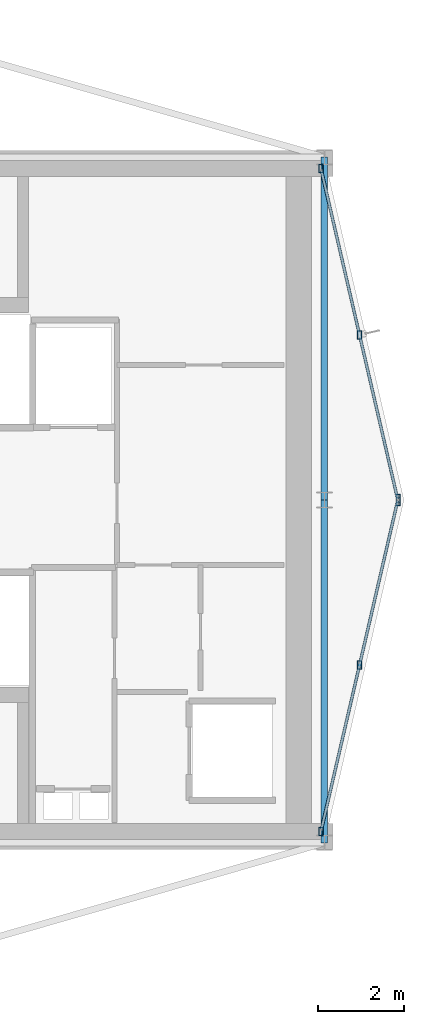
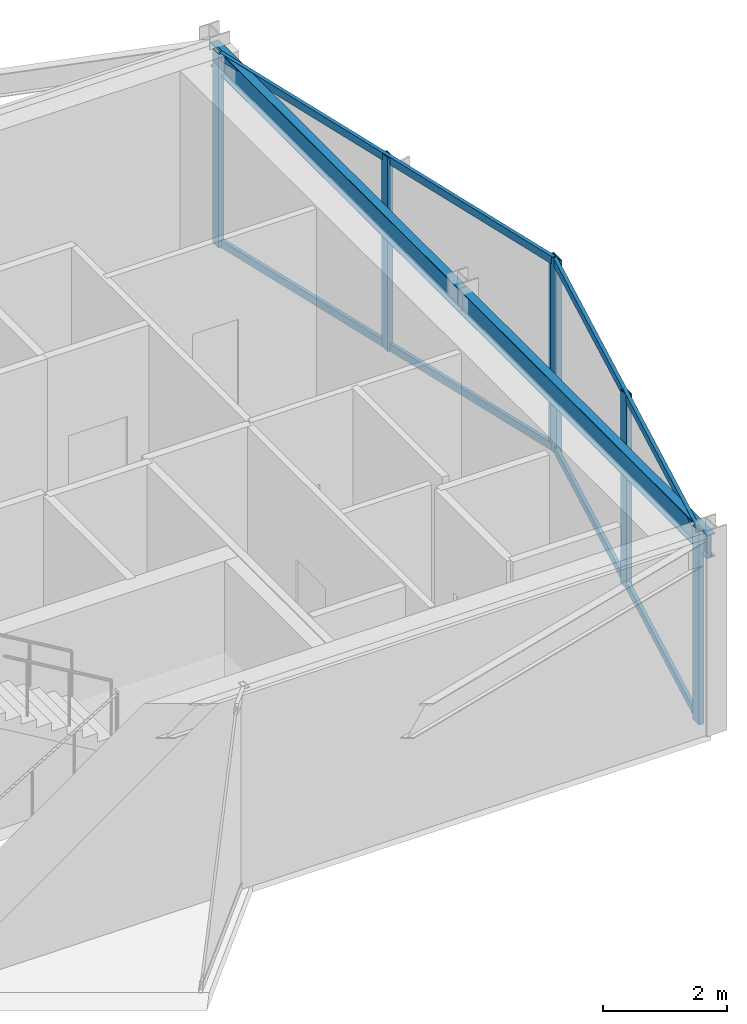
# One storey, part 7 of 14: 10 members, 2 beams, 2 elements without a shape of their own.
"""IFC4 building model written with IfcOpenShell, lengths in metres."""

from ifc_helpers import new_model, si_unit, direction, frame, origin, origin_2d, place, context, subcontext, project, spatial, hollow_rectangle, i_section, extrude, material, layer, layer_set, material_profile, profile_set, type_object, element, aggregate, save


model = new_model("IFC4")

# Units and contexts
model_context = context("Model", 3, precision=1e-05, world=origin(), true_north=direction((0.0, 1.0)))
body_context = subcontext(model_context, "Body", "Model", "MODEL_VIEW")
ifc_project = project(units=[si_unit("LENGTHUNIT", "METRE"), si_unit("AREAUNIT", "SQUARE_METRE"), si_unit("VOLUMEUNIT", "CUBIC_METRE"), si_unit("PLANEANGLEUNIT", "RADIAN"), si_unit("MASSUNIT", "GRAM", prefix="KILO")], contexts=[model_context])

# Site, building, storey
site_placement = place(None, origin())
site = spatial("IfcSite", under=ifc_project, at=site_placement, CompositionType="ELEMENT")
building_placement = place(site_placement, origin())
building = spatial("IfcBuilding", under=site, at=building_placement, Name="Veymaron Broadcast Tower", CompositionType="ELEMENT")
storey_placement = place(building_placement, frame((0.0, 0.0, 283.050048828125)))
storey = spatial("IfcBuildingStorey", under=building, at=storey_placement, Name="L66", CompositionType="ELEMENT", Elevation=283.050048828125)

# Beams
ifc_material_1 = material(Name="Structural steel ASTM A992 Gr 50", Category="steel")
ifc_material_profile_1 = material_profile(ifc_material_1, i_section(OverallWidth=0.154052734375, OverallDepth=0.458984375, WebThickness=0.009033203125, FlangeThickness=0.015380859375, at=origin_2d()), Name="W460X68")
ifc_profile_set_1 = profile_set([ifc_material_profile_1], Name="Structural steel ASTM A992 Gr 50")
beam_type = type_object("IfcBeamType", Name="BM-SP2", PredefinedType="SPANDREL", material=ifc_profile_set_1)
for number, where, z_axis, x_axis, name in (
    (1, (54.60009765625, 16.0, 3.58056640625), (0.0, 1.0, 0.0), (-1.0, 0.0, 0.0), "L66 primary structural floor girder"),
    (2, (54.60009765625, 24.0, 3.58056640625), (0.0, 1.0, 0.0), (-1.0, 0.0, 0.0), "L66 primary structural floor girder"),
):
    element("IfcBeam", number, at=place(storey_placement, frame(where, z_axis=z_axis, x_axis=x_axis)), inside=storey, type_object=beam_type, Name=name, PredefinedType="SPANDREL", context=body_context, shape_type="SweptSolid", body=[
        extrude(i_section(OverallWidth=0.154052734375, OverallDepth=0.458984375, WebThickness=0.009033203125, FlangeThickness=0.015380859375, at=origin_2d()), origin(), (0.0, 0.0, 1.0), 8.0),
    ])

# Curtain wall, members
ifc_material_2 = material(Name="Anodised aluminium AA 6063-T6 and laminated low-E dark glass", Category="aluminium")
ifc_layer = layer(ifc_material_2, 0.179931640625)
ifc_layer_set = layer_set([ifc_layer], Name="Anodised aluminium AA 6063-T6 and laminated low-E dark glass")
curtain_wall_type = type_object("IfcCurtainWallType", Name="CW-SYS-06", PredefinedType="NOTDEFINED", material=ifc_layer_set)
curtain_wall_1_placement = place(storey_placement, origin())
curtain_wall_1 = element("IfcCurtainWall", 3, at=curtain_wall_1_placement, inside=storey, type_object=curtain_wall_type, Name="L66 dark-glass curtain wall CW-L66-E2-1", PredefinedType="NOTDEFINED")
ifc_material_3 = material(Name="Anodised aluminium AA 6063-T6", Category="aluminium")
ifc_material_profile_2 = material_profile(ifc_material_3, hollow_rectangle(XDim=0.10009765625, YDim=0.199951171875, WallThickness=0.010009765625, at=origin_2d()), Name="RHS200X100X10")
ifc_profile_set_2 = profile_set([ifc_material_profile_2], Name="Anodised aluminium AA 6063-T6")
member_type_1 = type_object("IfcMemberType", Name="CW-MUL-01", PredefinedType="MULLION", material=ifc_profile_set_2)
member_1_placement = place(storey_placement, frame((54.517578125, 16.264892578125, 0.0), z_axis=(0.0, 0.0, 1.0), x_axis=(1.0, 0.0, 0.0)))
member_1 = element("IfcMember", 4, at=member_1_placement, type_object=member_type_1, Name="CW-L66-E2-1 mullion 0", PredefinedType="MULLION", context=body_context, shape_type="SweptSolid", body=[
    extrude(hollow_rectangle(XDim=0.10009765625, YDim=0.199951171875, WallThickness=0.010009765625, at=origin_2d()), origin(), (0.0, 0.0, 1.0), 3.81005859375),
])
member_2_placement = place(storey_placement, frame((55.418701171875, 20.148193359375, 0.0), z_axis=(0.0, 0.0, 1.0), x_axis=(1.0, 0.0, 0.0)))
member_2 = element("IfcMember", 5, at=member_2_placement, type_object=member_type_1, Name="CW-L66-E2-1 mullion 1", PredefinedType="MULLION", context=body_context, shape_type="SweptSolid", body=[
    extrude(hollow_rectangle(XDim=0.10009765625, YDim=0.199951171875, WallThickness=0.010009765625, at=origin_2d()), origin(), (0.0, 0.0, 1.0), 3.81005859375),
])
member_3_placement = place(storey_placement, frame((56.320068359375, 24.031494140625, 0.0), z_axis=(0.0, 0.0, 1.0), x_axis=(1.0, 0.0, 0.0)))
member_3 = element("IfcMember", 6, at=member_3_placement, type_object=member_type_1, Name="CW-L66-E2-1 mullion 2", PredefinedType="MULLION", context=body_context, shape_type="SweptSolid", body=[
    extrude(hollow_rectangle(XDim=0.10009765625, YDim=0.199951171875, WallThickness=0.010009765625, at=origin_2d()), origin(), (0.0, 0.0, 1.0), 3.81005859375),
])

curtain_wall_2_placement = place(storey_placement, origin())
curtain_wall_2 = element("IfcCurtainWall", 7, at=curtain_wall_2_placement, inside=storey, type_object=curtain_wall_type, Name="L66 dark-glass curtain wall CW-L66-E3-1", PredefinedType="NOTDEFINED")
member_4_placement = place(storey_placement, frame((56.320068359375, 23.968505859375, 0.0), z_axis=(0.0, 0.0, 1.0), x_axis=(1.0, 0.0, 0.0)))
member_4 = element("IfcMember", 8, at=member_4_placement, type_object=member_type_1, Name="CW-L66-E3-1 mullion 0", PredefinedType="MULLION", context=body_context, shape_type="SweptSolid", body=[
    extrude(hollow_rectangle(XDim=0.10009765625, YDim=0.199951171875, WallThickness=0.010009765625, at=origin_2d()), origin(), (0.0, 0.0, 1.0), 3.81005859375),
])
member_5_placement = place(storey_placement, frame((55.418701171875, 27.851806640625, 0.0), z_axis=(0.0, 0.0, 1.0), x_axis=(1.0, 0.0, 0.0)))
member_5 = element("IfcMember", 9, at=member_5_placement, type_object=member_type_1, Name="CW-L66-E3-1 mullion 1", PredefinedType="MULLION", context=body_context, shape_type="SweptSolid", body=[
    extrude(hollow_rectangle(XDim=0.10009765625, YDim=0.199951171875, WallThickness=0.010009765625, at=origin_2d()), origin(), (0.0, 0.0, 1.0), 3.81005859375),
])
member_6_placement = place(storey_placement, frame((54.517578125, 31.735107421875, 0.0), z_axis=(0.0, 0.0, 1.0), x_axis=(1.0, 0.0, 0.0)))
member_6 = element("IfcMember", 10, at=member_6_placement, type_object=member_type_1, Name="CW-L66-E3-1 mullion 2", PredefinedType="MULLION", context=body_context, shape_type="SweptSolid", body=[
    extrude(hollow_rectangle(XDim=0.10009765625, YDim=0.199951171875, WallThickness=0.010009765625, at=origin_2d()), origin(), (0.0, 0.0, 1.0), 3.81005859375),
])

# Member
ifc_material_profile_3 = material_profile(ifc_material_3, hollow_rectangle(XDim=0.06494140625, YDim=0.14990234375, WallThickness=0.00390625, at=origin_2d()), Name="AL150X65X4")
ifc_profile_set_3 = profile_set([ifc_material_profile_3], Name="Anodised aluminium AA 6063-T6")
member_type_2 = type_object("IfcMemberType", Name="CW-TRN-01", PredefinedType="USERDEFINED", material=ifc_profile_set_3)
member_7_placement = place(storey_placement, frame((54.529052734375, 16.3134765625, 0.070068359375), z_axis=(0.226025672802, 0.974121345231, 0.0), x_axis=(-0.974121345231, 0.226025672802, 0.0)))
member_7 = element("IfcMember", 11, at=member_7_placement, type_object=member_type_2, Name="CW-L66-E2-1 transom B", ObjectType="TRANSOM", PredefinedType="USERDEFINED", context=body_context, shape_type="SweptSolid", body=[
    extrude(hollow_rectangle(XDim=0.06494140625, YDim=0.14990234375, WallThickness=0.00390625, at=origin_2d()), origin(), (0.0, 0.0, 1.0), 7.873291015625),
])

member_8_placement = place(storey_placement, frame((54.529052734375, 16.3134765625, 3.739990234375), z_axis=(0.226025672802, 0.974121345231, 0.0), x_axis=(-0.974121345231, 0.226025672802, 0.0)))
member_8 = element("IfcMember", 12, at=member_8_placement, type_object=member_type_2, Name="CW-L66-E2-1 transom T", ObjectType="TRANSOM", PredefinedType="USERDEFINED", context=body_context, shape_type="SweptSolid", body=[
    extrude(hollow_rectangle(XDim=0.06494140625, YDim=0.14990234375, WallThickness=0.00390625, at=origin_2d()), origin(), (0.0, 0.0, 1.0), 7.873291015625),
])

aggregate(curtain_wall_1, [member_1, member_2, member_3, member_7, member_8])

member_9_placement = place(storey_placement, frame((56.30859375, 24.01708984375, 0.070068359375), z_axis=(-0.226025672802, 0.974121345231, 0.0), x_axis=(-0.974121345231, -0.226025672802, 0.0)))
member_9 = element("IfcMember", 13, at=member_9_placement, type_object=member_type_2, Name="CW-L66-E3-1 transom B", ObjectType="TRANSOM", PredefinedType="USERDEFINED", context=body_context, shape_type="SweptSolid", body=[
    extrude(hollow_rectangle(XDim=0.06494140625, YDim=0.14990234375, WallThickness=0.00390625, at=origin_2d()), origin(), (0.0, 0.0, 1.0), 7.873291015625),
])

member_10_placement = place(storey_placement, frame((56.30859375, 24.01708984375, 3.739990234375), z_axis=(-0.226025672802, 0.974121345231, 0.0), x_axis=(-0.974121345231, -0.226025672802, 0.0)))
member_10 = element("IfcMember", 14, at=member_10_placement, type_object=member_type_2, Name="CW-L66-E3-1 transom T", ObjectType="TRANSOM", PredefinedType="USERDEFINED", context=body_context, shape_type="SweptSolid", body=[
    extrude(hollow_rectangle(XDim=0.06494140625, YDim=0.14990234375, WallThickness=0.00390625, at=origin_2d()), origin(), (0.0, 0.0, 1.0), 7.873291015625),
])

aggregate(curtain_wall_2, [member_4, member_5, member_6, member_9, member_10])

save(model, "model.ifc")
